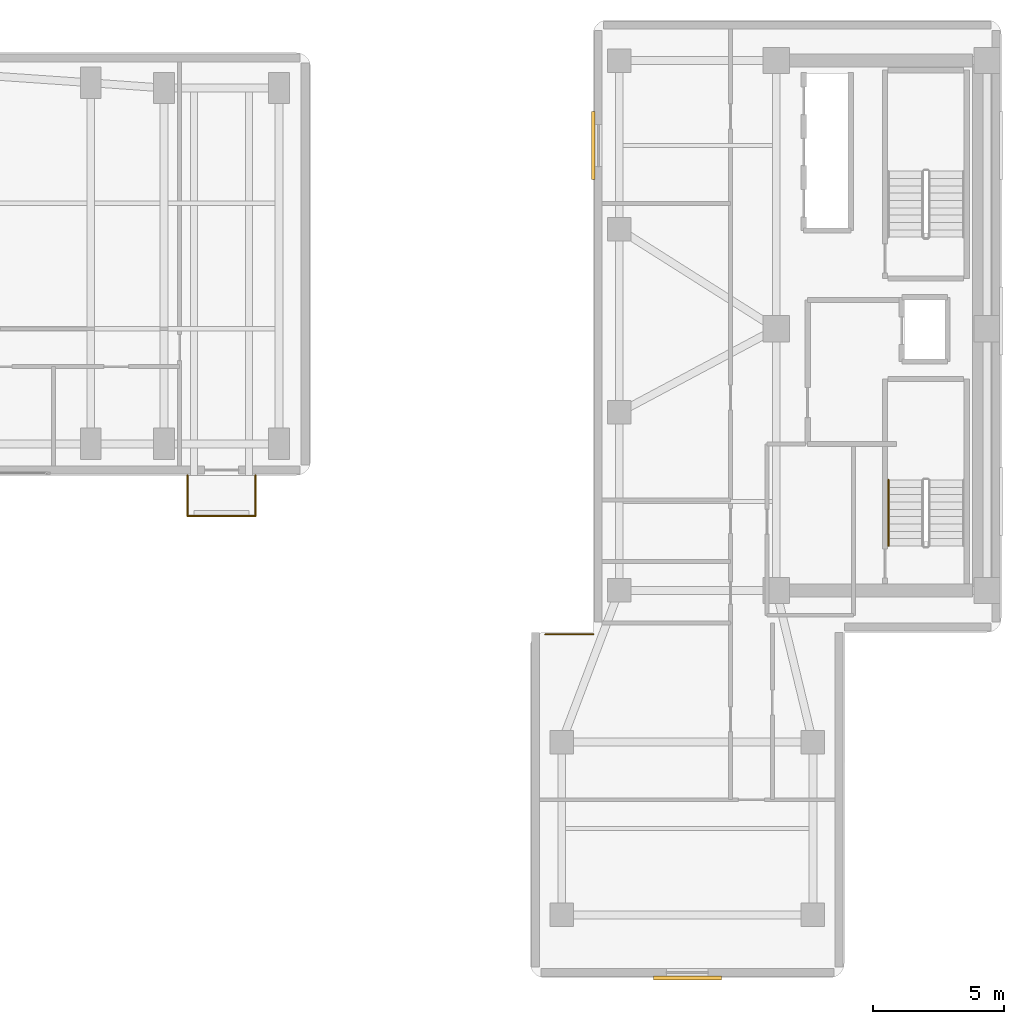
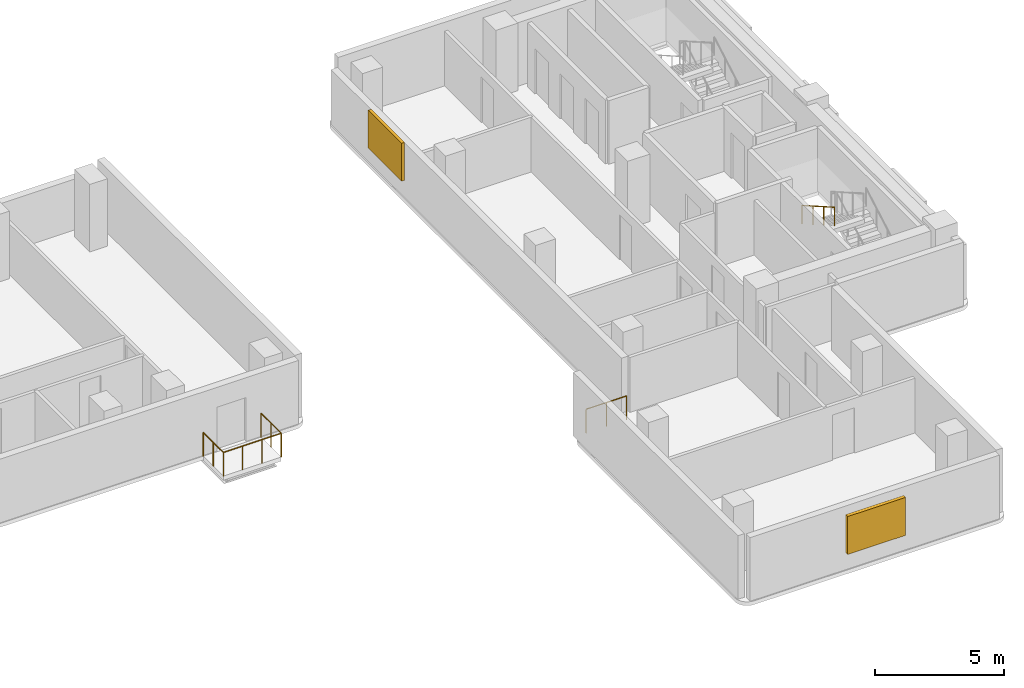
# One storey, part 13 of 14: 5 railings, 2 shading devices.
"""IFC4 building model written with IfcOpenShell, lengths in metres."""

from ifc_helpers import new_model, si_unit, direction, frame, origin, origin_2d, place, context, subcontext, project, spatial, rectangle, circle, extrude, material, layer, layer_set, type_object, element, save


model = new_model("IFC4")

# Units and contexts
model_context = context("Model", 3, precision=1e-05, world=origin(), true_north=direction((0.0, 1.0)))
body_context = subcontext(model_context, "Body", "Model", "MODEL_VIEW")
ifc_project = project(units=[si_unit("LENGTHUNIT", "METRE"), si_unit("AREAUNIT", "SQUARE_METRE"), si_unit("VOLUMEUNIT", "CUBIC_METRE"), si_unit("PLANEANGLEUNIT", "RADIAN"), si_unit("MASSUNIT", "GRAM", prefix="KILO")], contexts=[model_context])

# Site, building, storey
site_placement = place(None, origin())
site = spatial("IfcSite", under=ifc_project, at=site_placement, CompositionType="ELEMENT")
building_placement = place(site_placement, origin())
building = spatial("IfcBuilding", under=site, at=building_placement, Name="Kuzgunbayir Cultural Tower", CompositionType="ELEMENT")
storey_placement = place(building_placement, frame((0.0, 0.0, 69.199951171875)))
storey = spatial("IfcBuildingStorey", under=building, at=storey_placement, Name="L19", CompositionType="ELEMENT", Elevation=69.199951171875)

# Railings
ifc_material_1 = material(Name="Laminated Glass and Stainless Steel", Category="steel")
ifc_layer_1 = layer(ifc_material_1, 0.080078125)
ifc_layer_set_1 = layer_set([ifc_layer_1], Name="Laminated Glass and Stainless Steel")
railing_type_1 = type_object("IfcRailingType", Name="RLG-BAL-115", PredefinedType="BALUSTRADE", material=ifc_layer_set_1)
railing_1_placement = place(storey_placement, frame((42.10009765625, 26.39990234375, 0.0)))
element("IfcRailing", 1, at=railing_1_placement, inside=storey, type_object=railing_type_1, Name="L19 Balcony Guard BAL-L19-WB3 Segment 1", PredefinedType="BALUSTRADE", context=body_context, shape_type="SweptSolid", body=[
    extrude(circle(Radius=0.02392578125, at=origin_2d()), frame((0.0, 0.0, 1.1259765625), z_axis=(0.0, -1.0, 0.0), x_axis=(1.0, 0.0, 0.0)), (0.0, 0.0, 1.0), 1.559814453125),
    extrude(circle(Radius=0.02099609375, at=origin_2d()), origin(), (0.0, 0.0, 1.0), 1.101806640625),
    extrude(circle(Radius=0.02099609375, at=origin_2d()), frame((0.0, -0.77978515625, 0.0)), (0.0, 0.0, 1.0), 1.101806640625),
    extrude(circle(Radius=0.02099609375, at=origin_2d()), frame((0.0, -1.559814453125, 0.0)), (0.0, 0.0, 1.0), 1.101806640625),
])
railing_2_placement = place(storey_placement, frame((42.10009765625, 24.840087890625, 0.0)))
element("IfcRailing", 2, at=railing_2_placement, inside=storey, type_object=railing_type_1, Name="L19 Balcony Guard BAL-L19-WB3 Segment 2", PredefinedType="BALUSTRADE", context=body_context, shape_type="SweptSolid", body=[
    extrude(circle(Radius=0.02392578125, at=origin_2d()), frame((0.0, 0.0, 1.1259765625), z_axis=(1.0, 0.0, 0.0), x_axis=(0.0, 1.0, 0.0)), (0.0, 0.0, 1.0), 2.599853515625),
    extrude(circle(Radius=0.02099609375, at=origin_2d()), origin(), (0.0, 0.0, 1.0), 1.101806640625),
    extrude(circle(Radius=0.02099609375, at=origin_2d()), frame((0.86669921875, 0.0, 0.0)), (0.0, 0.0, 1.0), 1.101806640625),
    extrude(circle(Radius=0.02099609375, at=origin_2d()), frame((1.733154296875, 0.0, 0.0)), (0.0, 0.0, 1.0), 1.101806640625),
    extrude(circle(Radius=0.02099609375, at=origin_2d()), frame((2.599853515625, 0.0, 0.0)), (0.0, 0.0, 1.0), 1.101806640625),
])
railing_3_placement = place(storey_placement, frame((44.699951171875, 24.840087890625, 0.0)))
element("IfcRailing", 3, at=railing_3_placement, inside=storey, type_object=railing_type_1, Name="L19 Balcony Guard BAL-L19-WB3 Segment 3", PredefinedType="BALUSTRADE", context=body_context, shape_type="SweptSolid", body=[
    extrude(circle(Radius=0.02392578125, at=origin_2d()), frame((0.0, 0.0, 1.1259765625), z_axis=(0.0, 1.0, 0.0), x_axis=(-1.0, 0.0, 0.0)), (0.0, 0.0, 1.0), 1.559814453125),
    extrude(circle(Radius=0.02099609375, at=origin_2d()), origin(), (0.0, 0.0, 1.0), 1.101806640625),
    extrude(circle(Radius=0.02099609375, at=origin_2d()), frame((0.0, 0.77978515625, 0.0)), (0.0, 0.0, 1.0), 1.101806640625),
    extrude(circle(Radius=0.02099609375, at=origin_2d()), frame((0.0, 1.559814453125, 0.0)), (0.0, 0.0, 1.0), 1.101806640625),
])
railing_4_placement = place(storey_placement, frame((55.780029296875, 20.320068359375, 0.0)))
element("IfcRailing", 4, at=railing_4_placement, inside=storey, type_object=railing_type_1, Name="L19 Perimeter Edge Guard 1", PredefinedType="BALUSTRADE", context=body_context, shape_type="SweptSolid", body=[
    extrude(circle(Radius=0.02392578125, at=origin_2d()), frame((0.0, 0.0, 1.1259765625), z_axis=(1.0, 0.0, 0.0), x_axis=(0.0, 1.0, 0.0)), (0.0, 0.0, 1.0), 1.820068359375),
    extrude(circle(Radius=0.02099609375, at=origin_2d()), origin(), (0.0, 0.0, 1.0), 1.101806640625),
    extrude(circle(Radius=0.02099609375, at=origin_2d()), frame((0.91015625, 0.0, 0.0)), (0.0, 0.0, 1.0), 1.101806640625),
    extrude(circle(Radius=0.02099609375, at=origin_2d()), frame((1.820068359375, 0.0, 0.0)), (0.0, 0.0, 1.0), 1.101806640625),
])
ifc_material_2 = material(Name="Brushed Stainless Steel", Category="steel")
ifc_layer_2 = layer(ifc_material_2, 0.050048828125)
ifc_layer_set_2 = layer_set([ifc_layer_2], Name="Brushed Stainless Steel")
railing_type_2 = type_object("IfcRailingType", Name="RLG-STAIR-HANDRAIL", PredefinedType="HANDRAIL", material=ifc_layer_set_2)
railing_5_placement = place(storey_placement, frame((68.889892578125, 26.219970703125, 1.760009765625)))
element("IfcRailing", 5, at=railing_5_placement, inside=storey, type_object=railing_type_2, Name="L19 ST-3 stair handrail 2", PredefinedType="HANDRAIL", context=body_context, shape_type="SweptSolid", body=[
    extrude(circle(Radius=0.02392578125, at=origin_2d()), frame((0.0, 0.0, 0.8759765625), z_axis=(0.0, -0.868253494771, 0.496120820787), x_axis=(1.0, 0.0, 0.0)), (0.0, 0.0, 1.0), 2.90234375),
    extrude(circle(Radius=0.02099609375, at=origin_2d()), origin(), (0.0, 0.0, 1.0), 0.851806640625),
    extrude(circle(Radius=0.02099609375, at=origin_2d()), frame((0.0, -0.840087890625, 0.47998046875)), (0.0, 0.0, 1.0), 0.851806640625),
    extrude(circle(Radius=0.02099609375, at=origin_2d()), frame((0.0, -1.679931640625, 0.9599609375)), (0.0, 0.0, 1.0), 0.851806640625),
    extrude(circle(Radius=0.02099609375, at=origin_2d()), frame((0.0, -2.52001953125, 1.43994140625)), (0.0, 0.0, 1.0), 0.851806640625),
])

# Shading devices
ifc_material_3 = material(Name="Perforated Bronze-Anodised Aluminium", Category="aluminium")
shading_device_type_1 = type_object("IfcShadingDeviceType", Name="SHD-SOLAR-BRONZE", PredefinedType="JALOUSIE", material=ifc_material_3)
shading_device_1_placement = place(storey_placement, frame((57.60009765625, 39.0, 0.7998046875), z_axis=(0.0, 0.0, 1.0), x_axis=(1.0, 0.0, 0.0)))
element("IfcShadingDevice", 6, at=shading_device_1_placement, inside=storey, type_object=shading_device_type_1, Name="L19 Companion Bronze Solar Screen 39", PredefinedType="JALOUSIE", context=body_context, shape_type="SweptSolid", body=[
    extrude(rectangle(XDim=0.139892578125, YDim=2.60009765625, at=origin_2d()), origin(), (0.0, 0.0, 1.0), 1.800048828125),
])
ifc_material_4 = material(Name="Warm Terracotta Ceramic Baguette", Category="masonry")
shading_device_type_2 = type_object("IfcShadingDeviceType", Name="SHD-SOLAR-CERAMIC", PredefinedType="SHUTTER", material=ifc_material_4)
shading_device_2_placement = place(storey_placement, frame((61.199951171875, 7.18994140625, 0.7998046875), z_axis=(0.0, 0.0, 1.0), x_axis=(1.0, 0.0, 0.0)))
element("IfcShadingDevice", 7, at=shading_device_2_placement, inside=storey, type_object=shading_device_type_2, Name="L19 Companion Ceramic Solar Screen S1", PredefinedType="SHUTTER", context=body_context, shape_type="SweptSolid", body=[
    extrude(rectangle(XDim=2.60009765625, YDim=0.159912109375, at=origin_2d()), origin(), (0.0, 0.0, 1.0), 1.800048828125),
])

save(model, "model.ifc")
